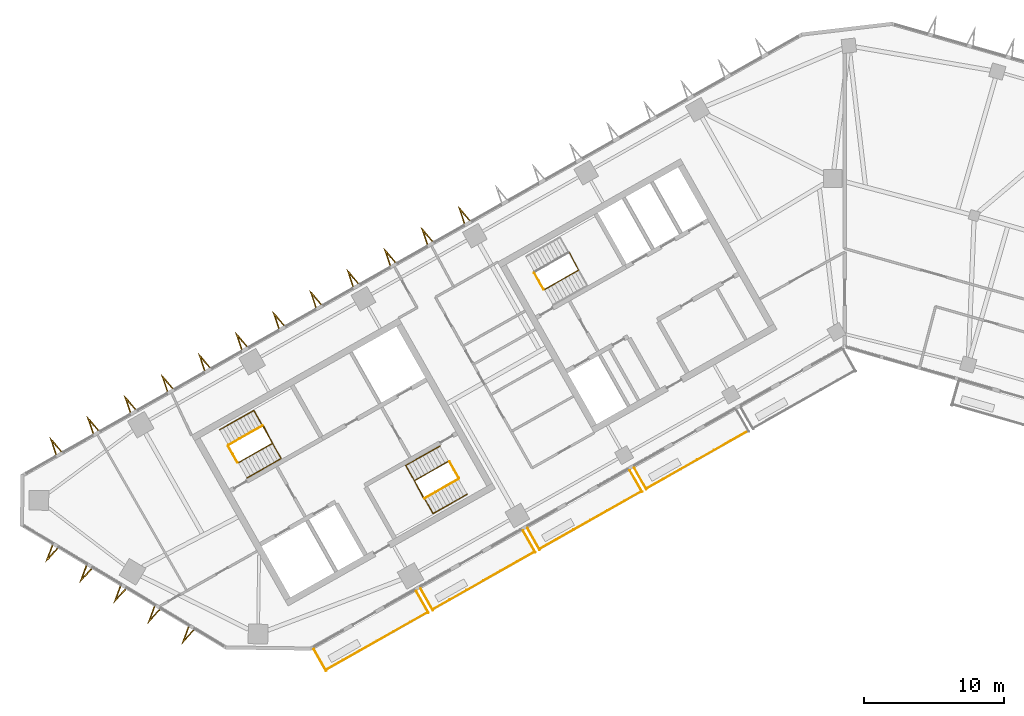
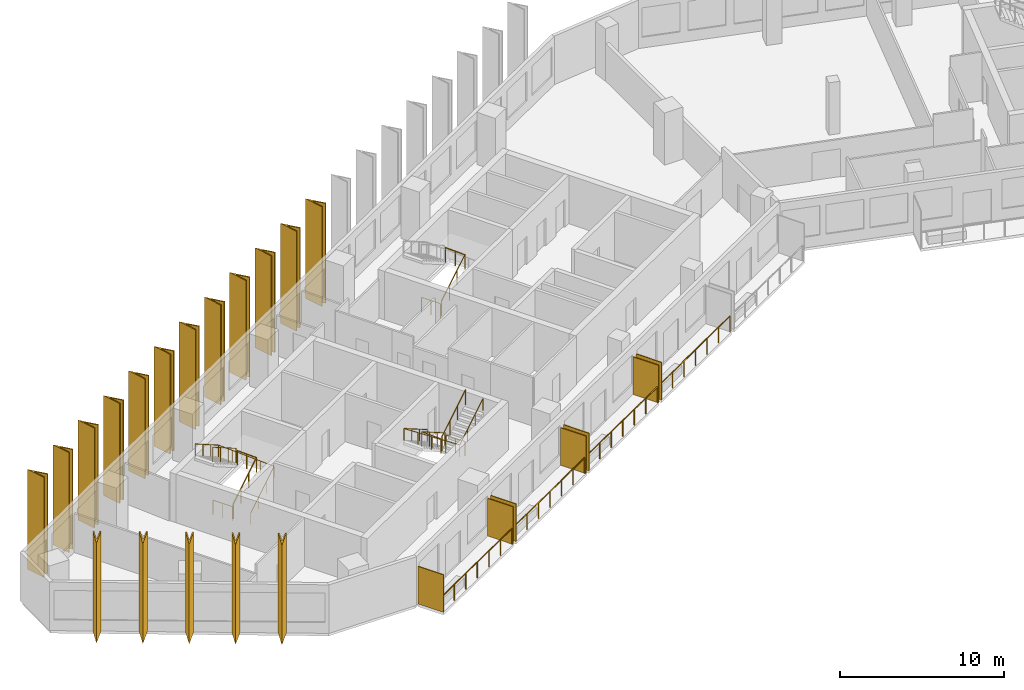
# One storey, part 9 of 11: 24 shading devices, 14 railings.
"""IFC4 building model written with IfcOpenShell, lengths in metres."""

from ifc_helpers import new_model, si_unit, direction, frame, origin, origin_2d, place, context, subcontext, project, spatial, polyline, rectangle, circle, outline, extrude, material, layer, layer_set, type_object, element, save


model = new_model("IFC4")

# Units and contexts
model_context = context("Model", 3, precision=1e-05, world=origin(), true_north=direction((0.0, 1.0)))
body_context = subcontext(model_context, "Body", "Model", "MODEL_VIEW")
ifc_project = project(units=[si_unit("LENGTHUNIT", "METRE"), si_unit("AREAUNIT", "SQUARE_METRE"), si_unit("VOLUMEUNIT", "CUBIC_METRE"), si_unit("PLANEANGLEUNIT", "RADIAN"), si_unit("MASSUNIT", "GRAM", prefix="KILO")], contexts=[model_context])

# Site, building, storey
site_placement = place(None, origin())
site = spatial("IfcSite", under=ifc_project, at=site_placement, CompositionType="ELEMENT")
building_placement = place(site_placement, origin())
building = spatial("IfcBuilding", under=site, at=building_placement, Name="Binnacle Exchange Tower", CompositionType="ELEMENT")
storey_placement = place(building_placement, frame((0.0, 0.0, 223.10009765625)))
storey = spatial("IfcBuildingStorey", under=building, at=storey_placement, Name="L49", CompositionType="ELEMENT", Elevation=223.10009765625)

# Railings
ifc_material_1 = material(Name="Bronze anodised aluminium frame", Category="aluminium")
railing_type_1 = type_object("IfcRailingType", Name="GUARD 1200", PredefinedType="GUARDRAIL", material=ifc_material_1)
railing_1_placement = place(storey_placement, frame((-37.006591796875, 24.94287109375, 0.0)))
element("IfcRailing", 1, at=railing_1_placement, inside=storey, type_object=railing_type_1, Name="Balcony guard G01-B00 L49", PredefinedType="GUARDRAIL", context=body_context, shape_type="SweptSolid", body=[
    extrude(circle(Radius=0.02392578125, at=origin_2d()), frame((0.0, 0.0, 1.17578125), z_axis=(0.870353267448, 0.492427852424, 0.0), x_axis=(-0.492427852424, 0.870353267448, 0.0)), (0.0, 0.0, 1.0), 8.334716796875),
    extrude(circle(Radius=0.02099609375, at=origin_2d()), origin(), (0.0, 0.0, 1.0), 1.15185546875),
    extrude(circle(Radius=0.02099609375, at=origin_2d()), frame((1.208984375, 0.68408203125, 0.0)), (0.0, 0.0, 1.0), 1.15185546875),
    extrude(circle(Radius=0.02099609375, at=origin_2d()), frame((2.41796875, 1.3681640625, 0.0)), (0.0, 0.0, 1.0), 1.15185546875),
    extrude(circle(Radius=0.02099609375, at=origin_2d()), frame((3.626953125, 2.05224609375, 0.0)), (0.0, 0.0, 1.0), 1.15185546875),
    extrude(circle(Radius=0.02099609375, at=origin_2d()), frame((4.836181640625, 2.736083984375, 0.0)), (0.0, 0.0, 1.0), 1.15185546875),
    extrude(circle(Radius=0.02099609375, at=origin_2d()), frame((6.045166015625, 3.420166015625, 0.0)), (0.0, 0.0, 1.0), 1.15185546875),
    extrude(circle(Radius=0.02099609375, at=origin_2d()), frame((7.254150390625, 4.104248046875, 0.0)), (0.0, 0.0, 1.0), 1.15185546875),
])
railing_2_placement = place(storey_placement, frame((-29.386962890625, 29.25390625, 0.0)))
element("IfcRailing", 2, at=railing_2_placement, inside=storey, type_object=railing_type_1, Name="Balcony guard G01-B01 L49", PredefinedType="GUARDRAIL", context=body_context, shape_type="SweptSolid", body=[
    extrude(circle(Radius=0.02392578125, at=origin_2d()), frame((0.0, 0.0, 1.17578125), z_axis=(0.870365821494, 0.492405662818, 0.0), x_axis=(-0.492405662818, 0.870365821494, 0.0)), (0.0, 0.0, 1.0), 8.334716796875),
    extrude(circle(Radius=0.02099609375, at=origin_2d()), origin(), (0.0, 0.0, 1.0), 1.15185546875),
    extrude(circle(Radius=0.02099609375, at=origin_2d()), frame((1.208984375, 0.68408203125, 0.0)), (0.0, 0.0, 1.0), 1.15185546875),
    extrude(circle(Radius=0.02099609375, at=origin_2d()), frame((2.41796875, 1.367919921875, 0.0)), (0.0, 0.0, 1.0), 1.15185546875),
    extrude(circle(Radius=0.02099609375, at=origin_2d()), frame((3.626953125, 2.052001953125, 0.0)), (0.0, 0.0, 1.0), 1.15185546875),
    extrude(circle(Radius=0.02099609375, at=origin_2d()), frame((4.836181640625, 2.736083984375, 0.0)), (0.0, 0.0, 1.0), 1.15185546875),
    extrude(circle(Radius=0.02099609375, at=origin_2d()), frame((6.045166015625, 3.419921875, 0.0)), (0.0, 0.0, 1.0), 1.15185546875),
    extrude(circle(Radius=0.02099609375, at=origin_2d()), frame((7.254150390625, 4.10400390625, 0.0)), (0.0, 0.0, 1.0), 1.15185546875),
])
for number, where, name in (
    (3, (-21.767333984375, 33.564697265625, 0.0), "Balcony guard G01-B02 L49"),
    (4, (-14.147705078125, 37.875732421875, 0.0), "Balcony guard G01-B03 L49"),
):
    element("IfcRailing", number, at=place(storey_placement, frame(where)), inside=storey, type_object=railing_type_1, Name=name, PredefinedType="GUARDRAIL", context=body_context, shape_type="SweptSolid", body=[
        extrude(circle(Radius=0.02392578125, at=origin_2d()), frame((0.0, 0.0, 1.17578125), z_axis=(0.8703461643, 0.49244040684, 0.0), x_axis=(-0.49244040684, 0.8703461643, 0.0)), (0.0, 0.0, 1.0), 8.33447265625),
        extrude(circle(Radius=0.02099609375, at=origin_2d()), origin(), (0.0, 0.0, 1.0), 1.15185546875),
        extrude(circle(Radius=0.02099609375, at=origin_2d()), frame((1.208984375, 0.68408203125, 0.0)), (0.0, 0.0, 1.0), 1.15185546875),
        extrude(circle(Radius=0.02099609375, at=origin_2d()), frame((2.41796875, 1.3681640625, 0.0)), (0.0, 0.0, 1.0), 1.15185546875),
        extrude(circle(Radius=0.02099609375, at=origin_2d()), frame((3.626953125, 2.05224609375, 0.0)), (0.0, 0.0, 1.0), 1.15185546875),
        extrude(circle(Radius=0.02099609375, at=origin_2d()), frame((4.8359375, 2.736083984375, 0.0)), (0.0, 0.0, 1.0), 1.15185546875),
        extrude(circle(Radius=0.02099609375, at=origin_2d()), frame((6.044921875, 3.420166015625, 0.0)), (0.0, 0.0, 1.0), 1.15185546875),
        extrude(circle(Radius=0.02099609375, at=origin_2d()), frame((7.25390625, 4.104248046875, 0.0)), (0.0, 0.0, 1.0), 1.15185546875),
    ])

# Shading devices
ifc_material_2 = material(Name="Bronze aluminium louvre", Category="aluminium")
ifc_layer = layer(ifc_material_2, 0.06005859375)
ifc_layer_set = layer_set([ifc_layer], Name="PLANTED SCREEN 60x2800")
shading_device_type_1 = type_object("IfcShadingDeviceType", Name="PLANTED SCREEN 60x2800", PredefinedType="USERDEFINED", material=ifc_layer_set)
for number, where, z_axis, x_axis, name in (
    (5, (-37.436279296875, 25.641845703125, 0.0), (0.0, 0.0, 1.0), (0.87035569594, 0.492423560103, 0.0), "Planted screen G01-B00a L49"),
    (6, (-30.130126953125, 29.775390625, 0.0), (0.0, 0.0, 1.0), (0.87035569594, 0.492423560103, 0.0), "Planted screen G01-B00b L49"),
    (7, (-29.81689453125, 29.95263671875, 0.0), (0.0, 0.0, 1.0), (0.87035569594, 0.492423560103, 0.0), "Planted screen G01-B01a L49"),
    (8, (-22.510498046875, 34.08642578125, 0.0), (0.0, 0.0, 1.0), (0.87035569594, 0.492423560103, 0.0), "Planted screen G01-B01b L49"),
    (9, (-22.197265625, 34.263671875, 0.0), (0.0, 0.0, 1.0), (0.87035569594, 0.492423560103, 0.0), "Planted screen G01-B02a L49"),
    (10, (-14.89111328125, 38.3974609375, 0.0), (0.0, 0.0, 1.0), (0.87035569594, 0.492423560103, 0.0), "Planted screen G01-B02b L49"),
    (11, (-14.57763671875, 38.57470703125, 0.0), (0.0, 0.0, 1.0), (0.87035569594, 0.492423560103, 0.0), "Planted screen G01-B03a L49"),
):
    element("IfcShadingDevice", number, at=place(storey_placement, frame(where, z_axis=z_axis, x_axis=x_axis)), inside=storey, type_object=shading_device_type_1, Name=name, ObjectType="SCREEN", PredefinedType="USERDEFINED", context=body_context, shape_type="SweptSolid", body=[
        extrude(rectangle(XDim=0.06005859375, YDim=1.800048828125, at=origin_2d()), origin(), (0.0, 0.0, 1.0), 2.800048828125),
    ])

# Railings
ifc_material_3 = material(Name="Steel guard rail", Category="steel")
railing_type_2 = type_object("IfcRailingType", Name="STAIR GUARD 1100", PredefinedType="GUARDRAIL", material=ifc_material_3)
railing_3_placement = place(storey_placement, frame((-43.26171875, 39.71728515625, 0.17724609375)))
element("IfcRailing", 12, at=railing_3_placement, inside=storey, type_object=railing_type_2, Name="L49 STA1 stair guard 1", PredefinedType="GUARDRAIL", context=body_context, shape_type="SweptSolid", body=[
    extrude(circle(Radius=0.02392578125, at=origin_2d()), frame((0.0, 0.0, 1.076171875), z_axis=(0.735358749054, 0.416079564682, 0.534906819964), x_axis=(-0.492453686477, 0.870338650569, 0.0)), (0.0, 0.0, 1.0), 3.31396484375),
    extrude(circle(Radius=0.02392578125, at=origin_2d()), frame((2.43701171875, 1.37890625, 2.8486328125), z_axis=(-0.461100321709, 0.887348011391, 0.0), x_axis=(-0.887348011391, -0.461100321709, 0.0)), (0.0, 0.0, 1.0), 1.40087890625),
    extrude(circle(Radius=0.02099609375, at=origin_2d()), origin(), (0.0, 0.0, 1.0), 1.052001953125),
    extrude(circle(Radius=0.02099609375, at=origin_2d()), frame((0.812255859375, 0.459716796875, 0.5908203125)), (0.0, 0.0, 1.0), 1.052001953125),
    extrude(circle(Radius=0.02099609375, at=origin_2d()), frame((1.624755859375, 0.919189453125, 1.181884765625)), (0.0, 0.0, 1.0), 1.052001953125),
    extrude(circle(Radius=0.02099609375, at=origin_2d()), frame((2.43701171875, 1.37890625, 1.772705078125)), (0.0, 0.0, 1.0), 1.052001953125),
    extrude(circle(Radius=0.02099609375, at=origin_2d()), frame((2.114013671875, 2.00048828125, 1.772705078125)), (0.0, 0.0, 1.0), 1.052001953125),
    extrude(circle(Radius=0.02099609375, at=origin_2d()), frame((1.791015625, 2.6220703125, 1.772705078125)), (0.0, 0.0, 1.0), 1.052001953125),
])
railing_4_placement = place(storey_placement, frame((-41.538818359375, 42.358154296875, 2.127197265625)))
element("IfcRailing", 13, at=railing_4_placement, inside=storey, type_object=railing_type_2, Name="L49 STA1 stair guard 2", PredefinedType="GUARDRAIL", context=body_context, shape_type="SweptSolid", body=[
    extrude(circle(Radius=0.02392578125, at=origin_2d()), frame((0.0, 0.0, 1.076171875), z_axis=(-0.735358749054, -0.416079564682, 0.534906819964), x_axis=(0.492453686477, -0.870338650569, 0.0)), (0.0, 0.0, 1.0), 3.31396484375),
    extrude(circle(Radius=0.02099609375, at=origin_2d()), origin(), (0.0, 0.0, 1.0), 1.052001953125),
    extrude(circle(Radius=0.02099609375, at=origin_2d()), frame((-0.812255859375, -0.459716796875, 0.5908203125)), (0.0, 0.0, 1.0), 1.052001953125),
    extrude(circle(Radius=0.02099609375, at=origin_2d()), frame((-1.624755859375, -0.919189453125, 1.181884765625)), (0.0, 0.0, 1.0), 1.052001953125),
    extrude(circle(Radius=0.02099609375, at=origin_2d()), frame((-2.43701171875, -1.37890625, 1.772705078125)), (0.0, 0.0, 1.0), 1.052001953125),
])
railing_5_placement = place(storey_placement, frame((-43.329833984375, 39.736328125, 0.0)))
element("IfcRailing", 14, at=railing_5_placement, inside=storey, type_object=railing_type_2, Name="L49 STA1 stair guard 3", PredefinedType="GUARDRAIL", context=body_context, shape_type="SweptSolid", body=[
    extrude(circle(Radius=0.02392578125, at=origin_2d()), frame((0.0, 0.0, 1.076171875), z_axis=(-0.4924922531, 0.870316827734, 0.0), x_axis=(-0.870316827734, -0.4924922531, 0.0)), (0.0, 0.0, 1.0), 1.349853515625),
    extrude(circle(Radius=0.02099609375, at=origin_2d()), origin(), (0.0, 0.0, 1.0), 1.052001953125),
    extrude(circle(Radius=0.02099609375, at=origin_2d()), frame((-0.33251953125, 0.58740234375, 0.0)), (0.0, 0.0, 1.0), 1.052001953125),
    extrude(circle(Radius=0.02099609375, at=origin_2d()), frame((-0.664794921875, 1.1748046875, 0.0)), (0.0, 0.0, 1.0), 1.052001953125),
])
railing_6_placement = place(storey_placement, frame((-28.265380859375, 39.814453125, 0.17724609375)))
element("IfcRailing", 15, at=railing_6_placement, inside=storey, type_object=railing_type_2, Name="L49 STA2 stair guard 1", PredefinedType="GUARDRAIL", context=body_context, shape_type="SweptSolid", body=[
    extrude(circle(Radius=0.02392578125, at=origin_2d()), frame((0.0, 0.0, 1.076171875), z_axis=(-0.735381288273, -0.416018647052, 0.534923215202), x_axis=(0.492387636113, -0.870376019777, 0.0)), (0.0, 0.0, 1.0), 3.31396484375),
    extrude(circle(Radius=0.02392578125, at=origin_2d()), frame((-2.43701171875, -1.378662109375, 2.8486328125), z_axis=(0.460963092712, -0.887419307406, 0.0), x_axis=(0.887419307406, 0.460963092712, 0.0)), (0.0, 0.0, 1.0), 1.40087890625),
    extrude(circle(Radius=0.02099609375, at=origin_2d()), origin(), (0.0, 0.0, 1.0), 1.052001953125),
    extrude(circle(Radius=0.02099609375, at=origin_2d()), frame((-0.812255859375, -0.45947265625, 0.5908203125)), (0.0, 0.0, 1.0), 1.052001953125),
    extrude(circle(Radius=0.02099609375, at=origin_2d()), frame((-1.624755859375, -0.919189453125, 1.181884765625)), (0.0, 0.0, 1.0), 1.052001953125),
    extrude(circle(Radius=0.02099609375, at=origin_2d()), frame((-2.43701171875, -1.378662109375, 1.772705078125)), (0.0, 0.0, 1.0), 1.052001953125),
    extrude(circle(Radius=0.02099609375, at=origin_2d()), frame((-2.1142578125, -2.000244140625, 1.772705078125)), (0.0, 0.0, 1.0), 1.052001953125),
    extrude(circle(Radius=0.02099609375, at=origin_2d()), frame((-1.791259765625, -2.621826171875, 1.772705078125)), (0.0, 0.0, 1.0), 1.052001953125),
])
railing_7_placement = place(storey_placement, frame((-29.988525390625, 37.173583984375, 2.127197265625)))
element("IfcRailing", 16, at=railing_7_placement, inside=storey, type_object=railing_type_2, Name="L49 STA2 stair guard 2", PredefinedType="GUARDRAIL", context=body_context, shape_type="SweptSolid", body=[
    extrude(circle(Radius=0.02392578125, at=origin_2d()), frame((0.0, 0.0, 1.076171875), z_axis=(0.735358749054, 0.416079564682, 0.534906819964), x_axis=(-0.492453686477, 0.870338650569, 0.0)), (0.0, 0.0, 1.0), 3.31396484375),
    extrude(circle(Radius=0.02099609375, at=origin_2d()), origin(), (0.0, 0.0, 1.0), 1.052001953125),
    extrude(circle(Radius=0.02099609375, at=origin_2d()), frame((0.812255859375, 0.459716796875, 0.5908203125)), (0.0, 0.0, 1.0), 1.052001953125),
    extrude(circle(Radius=0.02099609375, at=origin_2d()), frame((1.624755859375, 0.919189453125, 1.181884765625)), (0.0, 0.0, 1.0), 1.052001953125),
    extrude(circle(Radius=0.02099609375, at=origin_2d()), frame((2.43701171875, 1.37890625, 1.772705078125)), (0.0, 0.0, 1.0), 1.052001953125),
])
railing_8_placement = place(storey_placement, frame((-28.197265625, 39.795654296875, 0.0)))
element("IfcRailing", 17, at=railing_8_placement, inside=storey, type_object=railing_type_2, Name="L49 STA2 stair guard 3", PredefinedType="GUARDRAIL", context=body_context, shape_type="SweptSolid", body=[
    extrude(circle(Radius=0.02392578125, at=origin_2d()), frame((0.0, 0.0, 1.076171875), z_axis=(0.49241474071, -0.870360685654, 0.0), x_axis=(0.870360685654, 0.49241474071, 0.0)), (0.0, 0.0, 1.0), 1.35009765625),
    extrude(circle(Radius=0.02099609375, at=origin_2d()), origin(), (0.0, 0.0, 1.0), 1.052001953125),
    extrude(circle(Radius=0.02099609375, at=origin_2d()), frame((0.33251953125, -0.58740234375, 0.0)), (0.0, 0.0, 1.0), 1.052001953125),
    extrude(circle(Radius=0.02099609375, at=origin_2d()), frame((0.664794921875, -1.175048828125, 0.0)), (0.0, 0.0, 1.0), 1.052001953125),
])
railing_9_placement = place(storey_placement, frame((-21.423828125, 52.07275390625, 0.17724609375)))
element("IfcRailing", 18, at=railing_9_placement, inside=storey, type_object=railing_type_2, Name="L49 STC1 stair guard 1", PredefinedType="GUARDRAIL", context=body_context, shape_type="SweptSolid", body=[
    extrude(circle(Radius=0.02392578125, at=origin_2d()), frame((0.0, 0.0, 1.076171875), z_axis=(0.735381288273, 0.416018647052, 0.534923215202), x_axis=(-0.492387636113, 0.870376019777, 0.0)), (0.0, 0.0, 1.0), 3.31396484375),
    extrude(circle(Radius=0.02392578125, at=origin_2d()), frame((2.43701171875, 1.378662109375, 2.8486328125), z_axis=(-0.460963092712, 0.887419307406, 0.0), x_axis=(-0.887419307406, -0.460963092712, 0.0)), (0.0, 0.0, 1.0), 1.40087890625),
    extrude(circle(Radius=0.02099609375, at=origin_2d()), origin(), (0.0, 0.0, 1.0), 1.052001953125),
    extrude(circle(Radius=0.02099609375, at=origin_2d()), frame((0.812255859375, 0.45947265625, 0.5908203125)), (0.0, 0.0, 1.0), 1.052001953125),
    extrude(circle(Radius=0.02099609375, at=origin_2d()), frame((1.624755859375, 0.919189453125, 1.181884765625)), (0.0, 0.0, 1.0), 1.052001953125),
    extrude(circle(Radius=0.02099609375, at=origin_2d()), frame((2.43701171875, 1.378662109375, 1.772705078125)), (0.0, 0.0, 1.0), 1.052001953125),
    extrude(circle(Radius=0.02099609375, at=origin_2d()), frame((2.1142578125, 2.000244140625, 1.772705078125)), (0.0, 0.0, 1.0), 1.052001953125),
    extrude(circle(Radius=0.02099609375, at=origin_2d()), frame((1.791259765625, 2.621826171875, 1.772705078125)), (0.0, 0.0, 1.0), 1.052001953125),
])
railing_10_placement = place(storey_placement, frame((-21.491943359375, 52.091552734375, 0.0)))
element("IfcRailing", 19, at=railing_10_placement, inside=storey, type_object=railing_type_2, Name="L49 STC1 stair guard 3", PredefinedType="GUARDRAIL", context=body_context, shape_type="SweptSolid", body=[
    extrude(circle(Radius=0.02392578125, at=origin_2d()), frame((0.0, 0.0, 1.076171875), z_axis=(-0.49241474071, 0.870360685654, 0.0), x_axis=(-0.870360685654, -0.49241474071, 0.0)), (0.0, 0.0, 1.0), 1.35009765625),
    extrude(circle(Radius=0.02099609375, at=origin_2d()), origin(), (0.0, 0.0, 1.0), 1.052001953125),
    extrude(circle(Radius=0.02099609375, at=origin_2d()), frame((-0.33251953125, 0.58740234375, 0.0)), (0.0, 0.0, 1.0), 1.052001953125),
    extrude(circle(Radius=0.02099609375, at=origin_2d()), frame((-0.664794921875, 1.175048828125, 0.0)), (0.0, 0.0, 1.0), 1.052001953125),
])
ifc_material_4 = material(Name="Steel handrail", Category="steel")
railing_type_3 = type_object("IfcRailingType", Name="STAIR HANDRAIL 900", PredefinedType="HANDRAIL", material=ifc_material_4)
railing_11_placement = place(storey_placement, frame((-42.646240234375, 38.62939453125, 0.17724609375)))
element("IfcRailing", 20, at=railing_11_placement, inside=storey, type_object=railing_type_3, Name="L49 STA1 stair handrail 1", PredefinedType="HANDRAIL", context=body_context, shape_type="SweptSolid", body=[
    extrude(circle(Radius=0.02392578125, at=origin_2d()), frame((0.0, 0.0, 0.8759765625), z_axis=(0.735381288273, 0.416018647052, 0.534923215202), x_axis=(-0.492387636113, 0.870376019777, 0.0)), (0.0, 0.0, 1.0), 3.31396484375),
    extrude(circle(Radius=0.02392578125, at=origin_2d()), frame((2.43701171875, 1.378662109375, 2.6484375), z_axis=(-0.491918640963, 0.869486419234, 0.044826526087), x_axis=(-0.870361318571, -0.492413622004, 0.0)), (0.0, 0.0, 1.0), 3.9541015625),
    extrude(circle(Radius=0.02392578125, at=origin_2d()), frame((0.491943359375, 4.816650390625, 2.82568359375), z_axis=(-0.735381288273, -0.416018647052, 0.534923215202), x_axis=(0.492387636113, -0.870376019777, 0.0)), (0.0, 0.0, 1.0), 3.31396484375),
    extrude(circle(Radius=0.02099609375, at=origin_2d()), origin(), (0.0, 0.0, 1.0), 0.851806640625),
    extrude(circle(Radius=0.02099609375, at=origin_2d()), frame((0.812255859375, 0.45947265625, 0.5908203125)), (0.0, 0.0, 1.0), 0.851806640625),
    extrude(circle(Radius=0.02099609375, at=origin_2d()), frame((1.624755859375, 0.919189453125, 1.181884765625)), (0.0, 0.0, 1.0), 0.851806640625),
    extrude(circle(Radius=0.02099609375, at=origin_2d()), frame((2.43701171875, 1.378662109375, 1.772705078125)), (0.0, 0.0, 1.0), 0.851806640625),
    extrude(circle(Radius=0.02099609375, at=origin_2d()), frame((1.95068359375, 2.23828125, 1.81689453125)), (0.0, 0.0, 1.0), 0.851806640625),
    extrude(circle(Radius=0.02099609375, at=origin_2d()), frame((1.46435546875, 3.09765625, 1.861328125)), (0.0, 0.0, 1.0), 0.851806640625),
    extrude(circle(Radius=0.02099609375, at=origin_2d()), frame((0.978271484375, 3.95703125, 1.90576171875)), (0.0, 0.0, 1.0), 0.851806640625),
    extrude(circle(Radius=0.02099609375, at=origin_2d()), frame((0.491943359375, 4.816650390625, 1.949951171875)), (0.0, 0.0, 1.0), 0.851806640625),
    extrude(circle(Radius=0.02099609375, at=origin_2d()), frame((-0.3203125, 4.357177734375, 2.540771484375)), (0.0, 0.0, 1.0), 0.851806640625),
    extrude(circle(Radius=0.02099609375, at=origin_2d()), frame((-1.1328125, 3.8974609375, 3.1318359375)), (0.0, 0.0, 1.0), 0.851806640625),
    extrude(circle(Radius=0.02099609375, at=origin_2d()), frame((-1.945068359375, 3.43798828125, 3.72265625)), (0.0, 0.0, 1.0), 0.851806640625),
])
railing_12_placement = place(storey_placement, frame((-28.880859375, 40.90234375, 0.17724609375)))
element("IfcRailing", 21, at=railing_12_placement, inside=storey, type_object=railing_type_3, Name="L49 STA2 stair handrail 1", PredefinedType="HANDRAIL", context=body_context, shape_type="SweptSolid", body=[
    extrude(circle(Radius=0.02392578125, at=origin_2d()), frame((0.0, 0.0, 0.8759765625), z_axis=(-0.735381288273, -0.416018647052, 0.534923215202), x_axis=(0.492387636113, -0.870376019777, 0.0)), (0.0, 0.0, 1.0), 3.31396484375),
    extrude(circle(Radius=0.02392578125, at=origin_2d()), frame((-2.43701171875, -1.378662109375, 2.6484375), z_axis=(0.491918640963, -0.869486419234, 0.044826526087), x_axis=(0.870361318571, 0.492413622004, 0.0)), (0.0, 0.0, 1.0), 3.9541015625),
    extrude(circle(Radius=0.02392578125, at=origin_2d()), frame((-0.491943359375, -4.816650390625, 2.82568359375), z_axis=(0.735358749054, 0.416079564682, 0.534906819964), x_axis=(-0.492453686477, 0.870338650569, 0.0)), (0.0, 0.0, 1.0), 3.31396484375),
    extrude(circle(Radius=0.02099609375, at=origin_2d()), origin(), (0.0, 0.0, 1.0), 0.851806640625),
    extrude(circle(Radius=0.02099609375, at=origin_2d()), frame((-0.812255859375, -0.45947265625, 0.5908203125)), (0.0, 0.0, 1.0), 0.851806640625),
    extrude(circle(Radius=0.02099609375, at=origin_2d()), frame((-1.624755859375, -0.919189453125, 1.181884765625)), (0.0, 0.0, 1.0), 0.851806640625),
    extrude(circle(Radius=0.02099609375, at=origin_2d()), frame((-2.43701171875, -1.378662109375, 1.772705078125)), (0.0, 0.0, 1.0), 0.851806640625),
    extrude(circle(Radius=0.02099609375, at=origin_2d()), frame((-1.95068359375, -2.23828125, 1.81689453125)), (0.0, 0.0, 1.0), 0.851806640625),
    extrude(circle(Radius=0.02099609375, at=origin_2d()), frame((-1.46435546875, -3.09765625, 1.861328125)), (0.0, 0.0, 1.0), 0.851806640625),
    extrude(circle(Radius=0.02099609375, at=origin_2d()), frame((-0.978271484375, -3.95703125, 1.90576171875)), (0.0, 0.0, 1.0), 0.851806640625),
    extrude(circle(Radius=0.02099609375, at=origin_2d()), frame((-0.491943359375, -4.816650390625, 1.949951171875)), (0.0, 0.0, 1.0), 0.851806640625),
    extrude(circle(Radius=0.02099609375, at=origin_2d()), frame((0.3203125, -4.35693359375, 2.540771484375)), (0.0, 0.0, 1.0), 0.851806640625),
    extrude(circle(Radius=0.02099609375, at=origin_2d()), frame((1.1328125, -3.8974609375, 3.1318359375)), (0.0, 0.0, 1.0), 0.851806640625),
    extrude(circle(Radius=0.02099609375, at=origin_2d()), frame((1.945068359375, -3.437744140625, 3.72265625)), (0.0, 0.0, 1.0), 0.851806640625),
])

# Shading devices
ifc_material_5 = material(Name="Bronze aluminium cladding", Category="aluminium")
shading_device_type_2 = type_object("IfcShadingDeviceType", Name="V FIN 1300 DEEP x 7450 HIGH", PredefinedType="USERDEFINED", material=ifc_material_5)
shading_device_1_placement = place(storey_placement, origin())
element("IfcShadingDevice", 22, at=shading_device_1_placement, inside=storey, type_object=shading_device_type_2, Name="V fin FN-G08-09 L49", ObjectType="FIN", PredefinedType="USERDEFINED", context=body_context, shape_type="SweptSolid", body=[
    extrude(outline(polyline([(-26.72900390625, 57.02099609375), (-27.586669921875, 58.029541015625), (-27.1640625, 56.77490234375), (-27.09326171875, 56.81494140625), (-27.3779296875, 57.660888671875), (-26.7998046875, 56.98095703125), (-26.72900390625, 57.02099609375)])), origin(), (0.0, 0.0, 1.0), 7.449951171875),
])
shading_device_2_placement = place(storey_placement, origin())
element("IfcShadingDevice", 23, at=shading_device_2_placement, inside=storey, type_object=shading_device_type_2, Name="V fin FN-G08-10 L49", ObjectType="FIN", PredefinedType="USERDEFINED", context=body_context, shape_type="SweptSolid", body=[
    extrude(outline(polyline([(-29.377685546875, 55.5224609375), (-30.2353515625, 56.531005859375), (-29.812744140625, 55.2763671875), (-29.741943359375, 55.31640625), (-30.026611328125, 56.162109375), (-29.448486328125, 55.482421875), (-29.377685546875, 55.5224609375)])), origin(), (0.0, 0.0, 1.0), 7.449951171875),
])
shading_device_3_placement = place(storey_placement, origin())
element("IfcShadingDevice", 24, at=shading_device_3_placement, inside=storey, type_object=shading_device_type_2, Name="V fin FN-G08-11 L49", ObjectType="FIN", PredefinedType="USERDEFINED", context=body_context, shape_type="SweptSolid", body=[
    extrude(outline(polyline([(-32.0263671875, 54.02392578125), (-32.884033203125, 55.032470703125), (-32.46142578125, 53.77783203125), (-32.390625, 53.81787109375), (-32.67529296875, 54.663818359375), (-32.09716796875, 53.98388671875), (-32.0263671875, 54.02392578125)])), origin(), (0.0, 0.0, 1.0), 7.449951171875),
])
shading_device_4_placement = place(storey_placement, origin())
element("IfcShadingDevice", 25, at=shading_device_4_placement, inside=storey, type_object=shading_device_type_2, Name="V fin FN-G08-12 L49", ObjectType="FIN", PredefinedType="USERDEFINED", context=body_context, shape_type="SweptSolid", body=[
    extrude(outline(polyline([(-34.675048828125, 52.525390625), (-35.53271484375, 53.53369140625), (-35.110107421875, 52.279296875), (-35.039306640625, 52.3193359375), (-35.32421875, 53.1650390625), (-34.745849609375, 52.4853515625), (-34.675048828125, 52.525390625)])), origin(), (0.0, 0.0, 1.0), 7.449951171875),
])
shading_device_5_placement = place(storey_placement, origin())
element("IfcShadingDevice", 26, at=shading_device_5_placement, inside=storey, type_object=shading_device_type_2, Name="V fin FN-G08-13 L49", ObjectType="FIN", PredefinedType="USERDEFINED", context=body_context, shape_type="SweptSolid", body=[
    extrude(outline(polyline([(-37.32373046875, 51.02685546875), (-38.181640625, 52.03515625), (-37.759033203125, 50.780517578125), (-37.68798828125, 50.82080078125), (-37.972900390625, 51.66650390625), (-37.394775390625, 50.98681640625), (-37.32373046875, 51.02685546875)])), origin(), (0.0, 0.0, 1.0), 7.449951171875),
])
shading_device_6_placement = place(storey_placement, origin())
element("IfcShadingDevice", 27, at=shading_device_6_placement, inside=storey, type_object=shading_device_type_2, Name="V fin FN-G08-14 L49", ObjectType="FIN", PredefinedType="USERDEFINED", context=body_context, shape_type="SweptSolid", body=[
    extrude(outline(polyline([(-39.972412109375, 49.5283203125), (-40.830322265625, 50.53662109375), (-40.40771484375, 49.281982421875), (-40.3369140625, 49.322021484375), (-40.62158203125, 50.16796875), (-40.04345703125, 49.488037109375), (-39.972412109375, 49.5283203125)])), origin(), (0.0, 0.0, 1.0), 7.449951171875),
])
shading_device_7_placement = place(storey_placement, origin())
element("IfcShadingDevice", 28, at=shading_device_7_placement, inside=storey, type_object=shading_device_type_2, Name="V fin FN-G08-15 L49", ObjectType="FIN", PredefinedType="USERDEFINED", context=body_context, shape_type="SweptSolid", body=[
    extrude(outline(polyline([(-42.621337890625, 48.029541015625), (-43.47900390625, 49.0380859375), (-43.056396484375, 47.783447265625), (-42.985595703125, 47.823486328125), (-43.2705078125, 48.669189453125), (-42.692138671875, 47.989501953125), (-42.621337890625, 48.029541015625)])), origin(), (0.0, 0.0, 1.0), 7.449951171875),
])
shading_device_8_placement = place(storey_placement, origin())
element("IfcShadingDevice", 29, at=shading_device_8_placement, inside=storey, type_object=shading_device_type_2, Name="V fin FN-G08-16 L49", ObjectType="FIN", PredefinedType="USERDEFINED", context=body_context, shape_type="SweptSolid", body=[
    extrude(outline(polyline([(-45.27001953125, 46.531005859375), (-46.127685546875, 47.539306640625), (-45.705078125, 46.284912109375), (-45.63427734375, 46.324951171875), (-45.919189453125, 47.170654296875), (-45.3408203125, 46.490966796875), (-45.27001953125, 46.531005859375)])), origin(), (0.0, 0.0, 1.0), 7.449951171875),
])
shading_device_9_placement = place(storey_placement, origin())
element("IfcShadingDevice", 30, at=shading_device_9_placement, inside=storey, type_object=shading_device_type_2, Name="V fin FN-G08-17 L49", ObjectType="FIN", PredefinedType="USERDEFINED", context=body_context, shape_type="SweptSolid", body=[
    extrude(outline(polyline([(-47.918701171875, 45.032470703125), (-48.776611328125, 46.040771484375), (-48.35400390625, 44.7861328125), (-48.283203125, 44.826416015625), (-48.56787109375, 45.672119140625), (-47.98974609375, 44.9921875), (-47.918701171875, 45.032470703125)])), origin(), (0.0, 0.0, 1.0), 7.449951171875),
])
shading_device_10_placement = place(storey_placement, origin())
element("IfcShadingDevice", 31, at=shading_device_10_placement, inside=storey, type_object=shading_device_type_2, Name="V fin FN-G08-18 L49", ObjectType="FIN", PredefinedType="USERDEFINED", context=body_context, shape_type="SweptSolid", body=[
    extrude(outline(polyline([(-50.5673828125, 43.533935546875), (-51.42529296875, 44.542236328125), (-51.002685546875, 43.28759765625), (-50.931884765625, 43.327880859375), (-51.216552734375, 44.173583984375), (-50.638427734375, 43.493896484375), (-50.5673828125, 43.533935546875)])), origin(), (0.0, 0.0, 1.0), 7.449951171875),
])
shading_device_11_placement = place(storey_placement, origin())
element("IfcShadingDevice", 32, at=shading_device_11_placement, inside=storey, type_object=shading_device_type_2, Name="V fin FN-G08-19 L49", ObjectType="FIN", PredefinedType="USERDEFINED", context=body_context, shape_type="SweptSolid", body=[
    extrude(outline(polyline([(-53.21630859375, 42.035400390625), (-54.073974609375, 43.043701171875), (-53.6513671875, 41.7890625), (-53.58056640625, 41.8291015625), (-53.865234375, 42.675048828125), (-53.287109375, 41.9951171875), (-53.21630859375, 42.035400390625)])), origin(), (0.0, 0.0, 1.0), 7.449951171875),
])
shading_device_12_placement = place(storey_placement, origin())
element("IfcShadingDevice", 33, at=shading_device_12_placement, inside=storey, type_object=shading_device_type_2, Name="V fin FN-G08-20 L49", ObjectType="FIN", PredefinedType="USERDEFINED", context=body_context, shape_type="SweptSolid", body=[
    extrude(outline(polyline([(-55.864990234375, 40.53662109375), (-56.722900390625, 41.545166015625), (-56.30029296875, 40.29052734375), (-56.229248046875, 40.33056640625), (-56.51416015625, 41.176513671875), (-55.935791015625, 40.49658203125), (-55.864990234375, 40.53662109375)])), origin(), (0.0, 0.0, 1.0), 7.449951171875),
])
shading_device_13_placement = place(storey_placement, origin())
element("IfcShadingDevice", 34, at=shading_device_13_placement, inside=storey, type_object=shading_device_type_2, Name="V fin FN-G10-01 L49", ObjectType="FIN", PredefinedType="USERDEFINED", context=body_context, shape_type="SweptSolid", body=[
    extrude(outline(polyline([(-56.566162109375, 33.842529296875), (-57.021240234375, 32.599365234375), (-56.137451171875, 33.5849609375), (-56.207275390625, 33.626953125), (-56.80322265625, 32.96240234375), (-56.496337890625, 33.800537109375), (-56.566162109375, 33.842529296875)])), origin(), (0.0, 0.0, 1.0), 7.449951171875),
])
shading_device_14_placement = place(storey_placement, origin())
element("IfcShadingDevice", 35, at=shading_device_14_placement, inside=storey, type_object=shading_device_type_2, Name="V fin FN-G10-02 L49", ObjectType="FIN", PredefinedType="USERDEFINED", context=body_context, shape_type="SweptSolid", body=[
    extrude(outline(polyline([(-54.137451171875, 32.38330078125), (-54.592529296875, 31.14013671875), (-53.708740234375, 32.12548828125), (-53.778564453125, 32.16748046875), (-54.37451171875, 31.503173828125), (-54.067626953125, 32.34130859375), (-54.137451171875, 32.38330078125)])), origin(), (0.0, 0.0, 1.0), 7.449951171875),
])
shading_device_15_placement = place(storey_placement, origin())
element("IfcShadingDevice", 36, at=shading_device_15_placement, inside=storey, type_object=shading_device_type_2, Name="V fin FN-G10-03 L49", ObjectType="FIN", PredefinedType="USERDEFINED", context=body_context, shape_type="SweptSolid", body=[
    extrude(outline(polyline([(-51.708740234375, 30.923828125), (-52.1640625, 29.680908203125), (-51.2802734375, 30.666259765625), (-51.35009765625, 30.708251953125), (-51.94580078125, 30.0439453125), (-51.638916015625, 30.8818359375), (-51.708740234375, 30.923828125)])), origin(), (0.0, 0.0, 1.0), 7.449951171875),
])
shading_device_16_placement = place(storey_placement, origin())
element("IfcShadingDevice", 37, at=shading_device_16_placement, inside=storey, type_object=shading_device_type_2, Name="V fin FN-G10-04 L49", ObjectType="FIN", PredefinedType="USERDEFINED", context=body_context, shape_type="SweptSolid", body=[
    extrude(outline(polyline([(-49.280029296875, 29.464599609375), (-49.7353515625, 28.2216796875), (-48.8515625, 29.20703125), (-48.92138671875, 29.2490234375), (-49.51708984375, 28.584716796875), (-49.210205078125, 29.422607421875), (-49.280029296875, 29.464599609375)])), origin(), (0.0, 0.0, 1.0), 7.449951171875),
])
shading_device_17_placement = place(storey_placement, origin())
element("IfcShadingDevice", 38, at=shading_device_17_placement, inside=storey, type_object=shading_device_type_2, Name="V fin FN-G10-05 L49", ObjectType="FIN", PredefinedType="USERDEFINED", context=body_context, shape_type="SweptSolid", body=[
    extrude(outline(polyline([(-46.8515625, 28.00537109375), (-47.306640625, 26.76220703125), (-46.4228515625, 27.747802734375), (-46.49267578125, 27.789794921875), (-47.088623046875, 27.12548828125), (-46.78173828125, 27.96337890625), (-46.8515625, 28.00537109375)])), origin(), (0.0, 0.0, 1.0), 7.449951171875),
])

save(model, "model.ifc")
